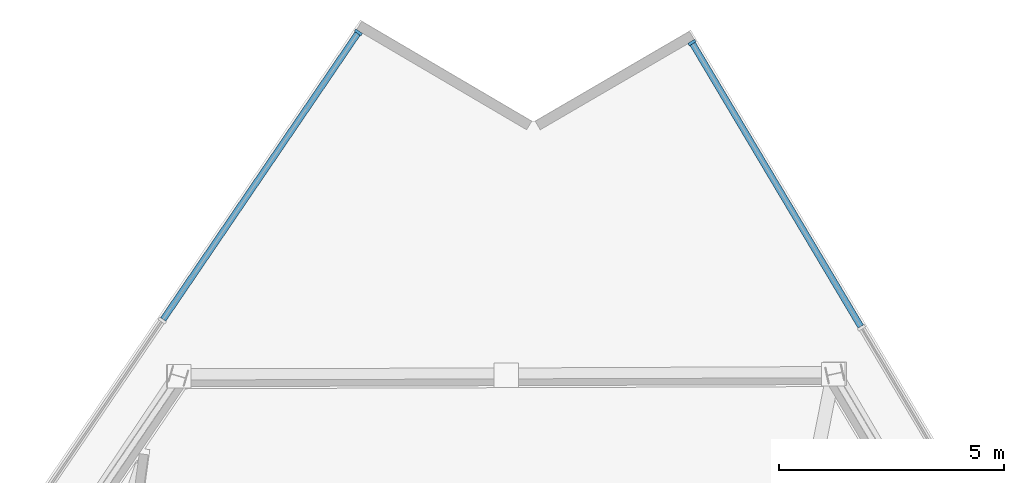
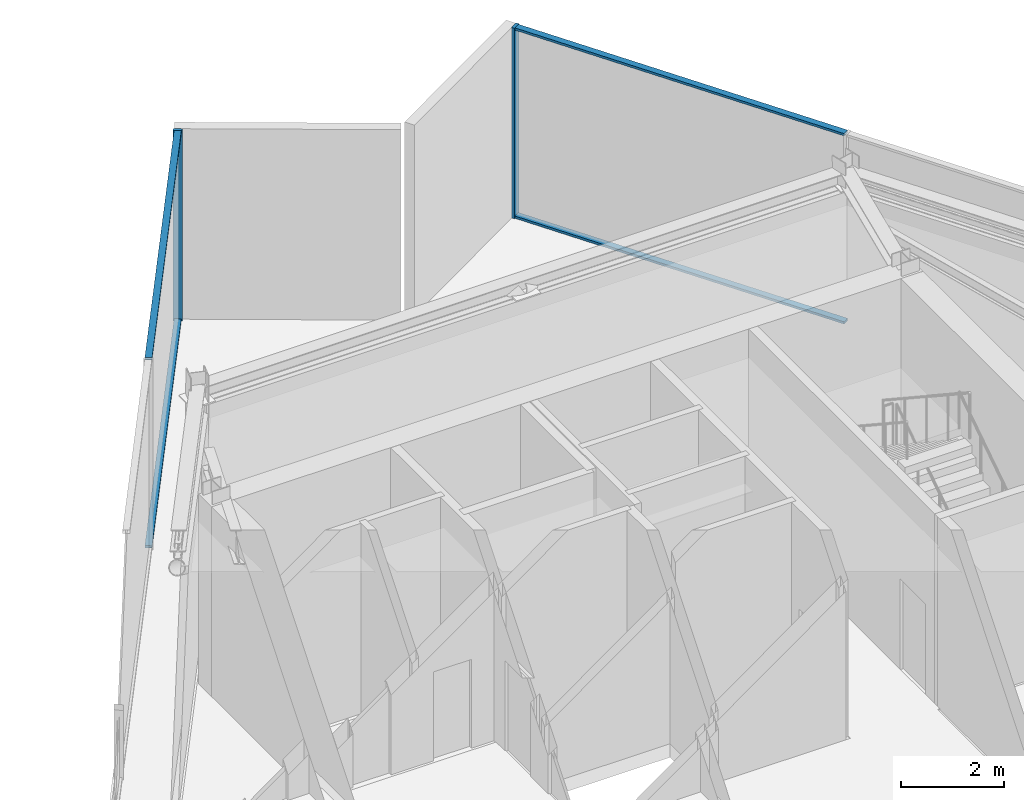
# One storey, part 6 of 14: 6 members, 2 elements without a shape of their own.
"""IFC4 building model written with IfcOpenShell, lengths in metres."""

from ifc_helpers import new_model, si_unit, direction, frame, origin, origin_2d, place, context, subcontext, project, spatial, rectangle, extrude, material, material_profile, profile_set, type_object, element, aggregate, save


model = new_model("IFC4")

# Units and contexts
model_context = context("Model", 3, precision=1e-05, world=origin(), true_north=direction((0.0, 1.0)))
body_context = subcontext(model_context, "Body", "Model", "MODEL_VIEW")
ifc_project = project(units=[si_unit("LENGTHUNIT", "METRE"), si_unit("AREAUNIT", "SQUARE_METRE"), si_unit("VOLUMEUNIT", "CUBIC_METRE"), si_unit("PLANEANGLEUNIT", "RADIAN"), si_unit("MASSUNIT", "GRAM", prefix="KILO")], contexts=[model_context])

# Site, building, storey
site_placement = place(None, origin())
site = spatial("IfcSite", under=ifc_project, at=site_placement, CompositionType="ELEMENT")
building_placement = place(site_placement, origin())
building = spatial("IfcBuilding", under=site, at=building_placement, Name="Savorim Split Tower", CompositionType="ELEMENT")
storey_placement = place(building_placement, frame((0.0, 0.0, 241.5)))
storey = spatial("IfcBuildingStorey", under=building, at=storey_placement, Name="L64", CompositionType="ELEMENT", Elevation=241.5)

# Curtain wall, member
ifc_material_1 = material(Name="Dark Ceramic-Fritted Insulated Glass", Category="glass")
curtain_wall_type = type_object("IfcCurtainWallType", Name="CW-REFUGE-LVR", PredefinedType="NOTDEFINED", material=ifc_material_1)
curtain_wall_1_placement = place(storey_placement, origin())
curtain_wall_1 = element("IfcCurtainWall", 1, at=curtain_wall_1_placement, inside=storey, type_object=curtain_wall_type, Name="L64 Curtain Wall CW-L64-EAST", PredefinedType="NOTDEFINED")
ifc_material_2 = material(Name="Charcoal Anodised Aluminium", Category="aluminium")
ifc_material_profile_1 = material_profile(ifc_material_2, rectangle(XDim=0.179931640625, YDim=0.06494140625, at=origin_2d()), Name="ALU-M 180x65")
ifc_profile_set_1 = profile_set([ifc_material_profile_1], Name="Charcoal Anodised Aluminium")
member_type_1 = type_object("IfcMemberType", Name="CWM-180x65", PredefinedType="MULLION", material=ifc_profile_set_1)
member_1_placement = place(storey_placement, frame((5.2568359375, 21.074951171875, 0.0), z_axis=(0.0, 0.0, 1.0), x_axis=(-0.859526936773, -0.511090446947, 0.0)))
member_1 = element("IfcMember", 2, at=member_1_placement, type_object=member_type_1, Name="CW-06 mullion 6", PredefinedType="MULLION", context=body_context, shape_type="SweptSolid", body=[
    extrude(rectangle(XDim=0.179931640625, YDim=0.06494140625, at=origin_2d()), origin(), (0.0, 0.0, 1.0), 4.5),
])

curtain_wall_2_placement = place(storey_placement, origin())
curtain_wall_2 = element("IfcCurtainWall", 3, at=curtain_wall_2_placement, inside=storey, type_object=curtain_wall_type, Name="L64 Curtain Wall CW-L64-WEST", PredefinedType="NOTDEFINED")
member_2_placement = place(storey_placement, frame((-2.150390625, 21.300537109375, 0.0), z_axis=(0.0, 0.0, 1.0), x_axis=(0.826818160785, -0.562469313826, 0.0)))
member_2 = element("IfcMember", 4, at=member_2_placement, type_object=member_type_1, Name="CW-06 mullion 1", PredefinedType="MULLION", context=body_context, shape_type="SweptSolid", body=[
    extrude(rectangle(XDim=0.179931640625, YDim=0.06494140625, at=origin_2d()), origin(), (0.0, 0.0, 1.0), 4.5),
])

# Member
ifc_material_profile_2 = material_profile(ifc_material_2, rectangle(XDim=0.139892578125, YDim=0.054931640625, at=origin_2d()), Name="ALU-T 140x55")
ifc_profile_set_2 = profile_set([ifc_material_profile_2], Name="Charcoal Anodised Aluminium")
member_type_2 = type_object("IfcMemberType", Name="CWT-140x55", PredefinedType="USERDEFINED", material=ifc_profile_set_2)
member_3_placement = place(storey_placement, frame((9.00634765625, 14.769287109375, 0.027587890625), z_axis=(-0.511090076619, 0.859527156977, 0.0), x_axis=(-0.859527156977, -0.511090076619, 0.0)))
member_3 = element("IfcMember", 5, at=member_3_placement, type_object=member_type_2, Name="CW-06 transom 5.1", ObjectType="TRANSOM", PredefinedType="USERDEFINED", context=body_context, shape_type="SweptSolid", body=[
    extrude(rectangle(XDim=0.139892578125, YDim=0.054931640625, at=origin_2d()), origin(), (0.0, 0.0, 1.0), 7.3037109375),
])

member_4_placement = place(storey_placement, frame((9.00634765625, 14.769287109375, 4.472412109375), z_axis=(-0.511090076619, 0.859527156977, 0.0), x_axis=(-0.859527156977, -0.511090076619, 0.0)))
member_4 = element("IfcMember", 6, at=member_4_placement, type_object=member_type_2, Name="CW-06 transom 5.2", ObjectType="TRANSOM", PredefinedType="USERDEFINED", context=body_context, shape_type="SweptSolid", body=[
    extrude(rectangle(XDim=0.139892578125, YDim=0.054931640625, at=origin_2d()), origin(), (0.0, 0.0, 1.0), 7.3037109375),
])

aggregate(curtain_wall_1, [member_1, member_3, member_4])

member_5_placement = place(storey_placement, frame((-2.168701171875, 21.273681640625, 0.027587890625), z_axis=(-0.56247702116, -0.826812917574, 0.0), x_axis=(0.826812917574, -0.56247702116, 0.0)))
member_5 = element("IfcMember", 7, at=member_5_placement, type_object=member_type_2, Name="CW-06 transom 1.1", ObjectType="TRANSOM", PredefinedType="USERDEFINED", context=body_context, shape_type="SweptSolid", body=[
    extrude(rectangle(XDim=0.139892578125, YDim=0.054931640625, at=origin_2d()), origin(), (0.0, 0.0, 1.0), 7.677001953125),
])

member_6_placement = place(storey_placement, frame((-2.168701171875, 21.273681640625, 4.472412109375), z_axis=(-0.56247702116, -0.826812917574, 0.0), x_axis=(0.826812917574, -0.56247702116, 0.0)))
member_6 = element("IfcMember", 8, at=member_6_placement, type_object=member_type_2, Name="CW-06 transom 1.2", ObjectType="TRANSOM", PredefinedType="USERDEFINED", context=body_context, shape_type="SweptSolid", body=[
    extrude(rectangle(XDim=0.139892578125, YDim=0.054931640625, at=origin_2d()), origin(), (0.0, 0.0, 1.0), 7.677001953125),
])

aggregate(curtain_wall_2, [member_2, member_5, member_6])

save(model, "model.ifc")
